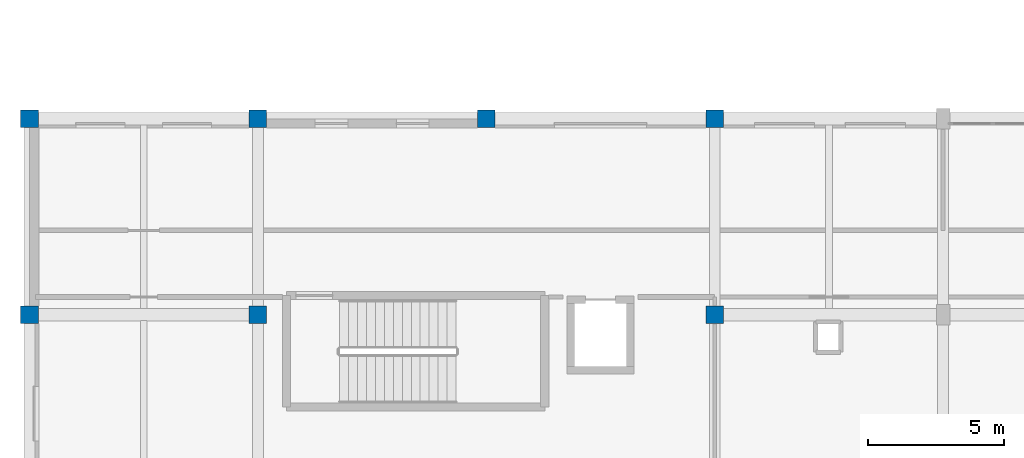
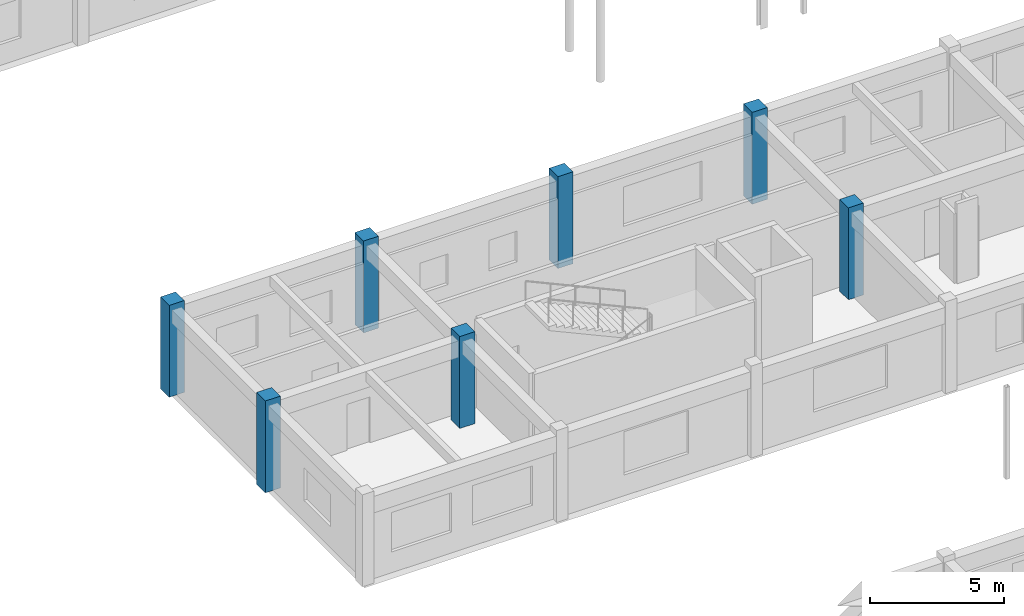
# One storey, part 8 of 90: 7 columns.
"""IFC4 building model written with IfcOpenShell, lengths in metres."""

from ifc_helpers import new_model, si_unit, direction, frame, origin, origin_2d, place, context, subcontext, project, spatial, rectangle, extrude, material, material_profile, profile_set, type_object, element, save


model = new_model("IFC4")

# Units and contexts
model_context = context("Model", 3, precision=1e-05, world=origin(), true_north=direction((0.0, 1.0)))
body_context = subcontext(model_context, "Body", "Model", "MODEL_VIEW")
ifc_project = project(units=[si_unit("LENGTHUNIT", "METRE"), si_unit("AREAUNIT", "SQUARE_METRE"), si_unit("VOLUMEUNIT", "CUBIC_METRE"), si_unit("PLANEANGLEUNIT", "RADIAN"), si_unit("MASSUNIT", "GRAM", prefix="KILO")], contexts=[model_context])

# Site, building, storey
site_placement = place(None, origin())
site = spatial("IfcSite", under=ifc_project, at=site_placement, CompositionType="ELEMENT")
building_placement = place(site_placement, origin())
building = spatial("IfcBuilding", under=site, at=building_placement, Name="Malvenik Polytechnic", CompositionType="ELEMENT")
storey_placement = place(building_placement, frame((0.0, 0.0, 9.300048828125)))
storey = spatial("IfcBuildingStorey", under=building, at=storey_placement, Name="L02", CompositionType="ELEMENT", Elevation=9.300048828125)

# Columns
ifc_material = material(Name="Concrete C35/45", Category="concrete")
ifc_material_profile = material_profile(ifc_material, rectangle(XDim=0.64990234375, YDim=0.64990234375, at=origin_2d()), Name="RC COL 650x650")
ifc_profile_set = profile_set([ifc_material_profile], Name="Concrete C35/45")
column_type = type_object("IfcColumnType", Name="STR-COL-C-05", PredefinedType="COLUMN", material=ifc_profile_set)
for number, where, z_axis, x_axis, name in (
    (1, (0.0, 86.39990234375, 0.0), (0.0, 0.0, 1.0), (1.0, 0.0, 0.0), "Column C-05 L02 (0.0,86.4)"),
    (2, (0.0, 93.60009765625, 0.0), (0.0, 0.0, 1.0), (1.0, 0.0, 0.0), "Column C-05 L02 (0.0,93.6)"),
    (3, (8.39990234375, 86.39990234375, 0.0), (0.0, 0.0, 1.0), (1.0, 0.0, 0.0), "Column C-05 L02 (8.4,86.4)"),
    (4, (8.39990234375, 93.60009765625, 0.0), (0.0, 0.0, 1.0), (1.0, 0.0, 0.0), "Column C-05 L02 (8.4,93.6)"),
    (5, (16.800048828125, 93.60009765625, 0.0), (0.0, 0.0, 1.0), (1.0, 0.0, 0.0), "Column C-05 L02 (16.8,93.6)"),
    (6, (25.199951171875, 86.39990234375, 0.0), (0.0, 0.0, 1.0), (1.0, 0.0, 0.0), "Column C-05 L02 (25.2,86.4)"),
    (7, (25.199951171875, 93.60009765625, 0.0), (0.0, 0.0, 1.0), (1.0, 0.0, 0.0), "Column C-05 L02 (25.2,93.6)"),
):
    element("IfcColumn", number, at=place(storey_placement, frame(where, z_axis=z_axis, x_axis=x_axis)), inside=storey, type_object=column_type, Name=name, PredefinedType="COLUMN", context=body_context, shape_type="SweptSolid", body=[
        extrude(rectangle(XDim=0.64990234375, YDim=0.64990234375, at=origin_2d()), origin(), (0.0, 0.0, 1.0), 4.199951171875),
    ])

save(model, "model.ifc")
